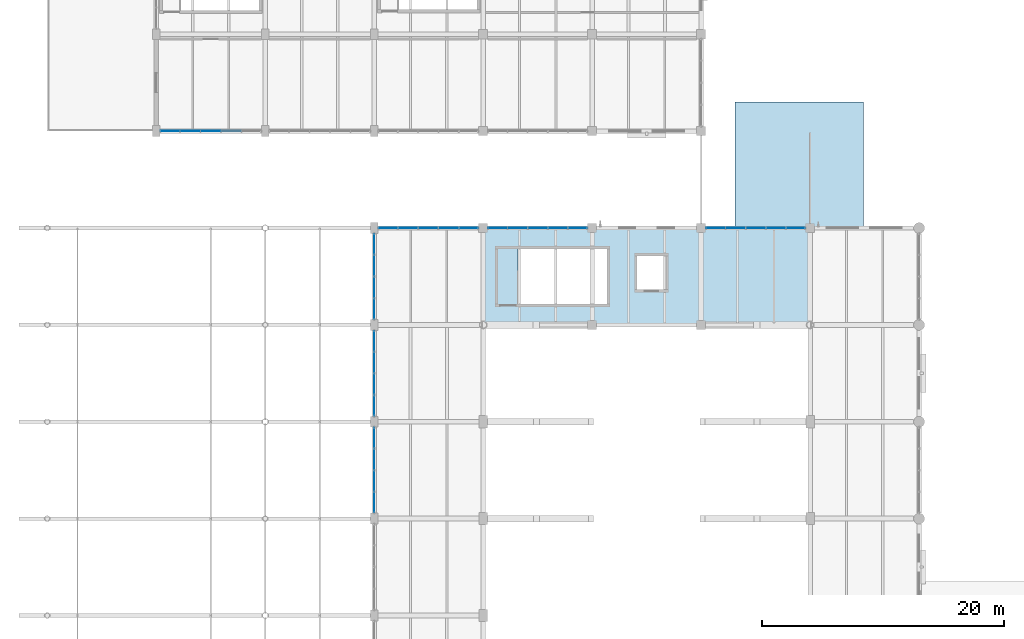
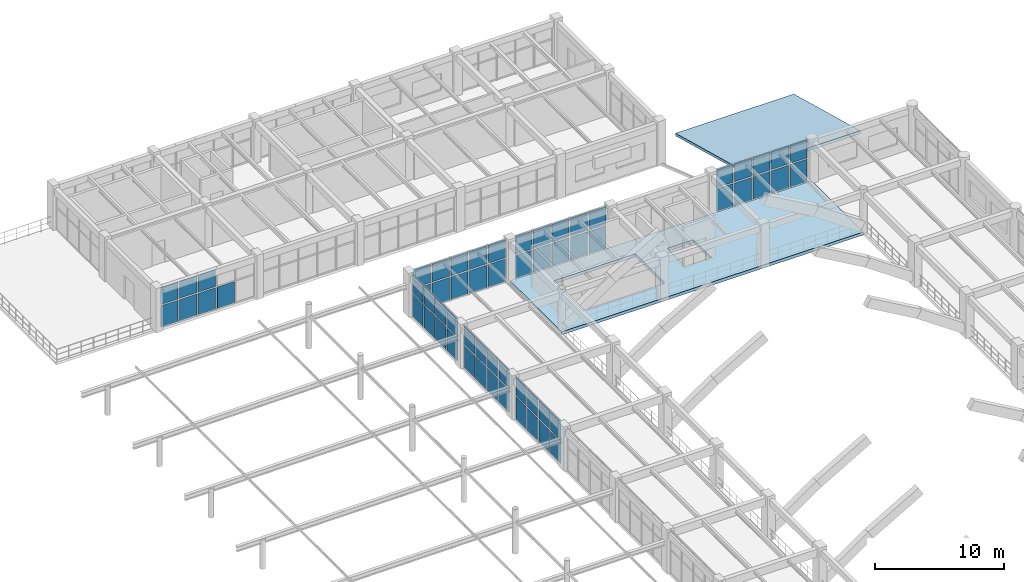
# One storey, part 118 of 148: 61 plates, 2 slabs, 8 elements without a shape of their own.
"""IFC4 building model written with IfcOpenShell, lengths in metres."""

from ifc_helpers import new_model, si_unit, derived_unit, direction, frame, origin, origin_2d, place, context, subcontext, project, spatial, polyline, rectangle, outline, extrude, material, layer, layer_set, type_object, element, aggregate, save


model = new_model("IFC4")

# Units and contexts
model_context = context("Model", 3, precision=1e-05, world=origin(), true_north=direction((0.0, 1.0)))
body_context = subcontext(model_context, "Body", "Model", "MODEL_VIEW")
ifc_project = project(units=[si_unit("LENGTHUNIT", "METRE"), si_unit("AREAUNIT", "SQUARE_METRE"), si_unit("VOLUMEUNIT", "CUBIC_METRE"), si_unit("PLANEANGLEUNIT", "RADIAN"), si_unit("MASSUNIT", "GRAM", prefix="KILO"), derived_unit("THERMALTRANSMITTANCEUNIT", [(si_unit("MASSUNIT", "GRAM", prefix="KILO"), 1), (si_unit("TIMEUNIT", "SECOND"), -3), (si_unit("THERMODYNAMICTEMPERATUREUNIT", "KELVIN"), -1)])], contexts=[model_context])

# Site, building, storey
site_placement = place(None, origin())
site = spatial("IfcSite", under=ifc_project, at=site_placement, CompositionType="ELEMENT")
building_placement = place(site_placement, origin())
building = spatial("IfcBuilding", under=site, at=building_placement, Name="Zhenchuan Archway Interchange", CompositionType="ELEMENT")
storey_placement = place(building_placement, frame((0.0, 0.0, 10.199951171875)))
storey = spatial("IfcBuildingStorey", under=building, at=storey_placement, Name="L02", CompositionType="ELEMENT", Elevation=10.199951171875)

# Curtain wall, plates
ifc_material_1 = material(Name="Anodised Aluminium", Category="aluminium")
curtain_wall_type_1 = type_object("IfcCurtainWallType", Name="CW_UNIT_1", PredefinedType="NOTDEFINED", material=ifc_material_1)
curtain_wall_1_placement = place(storey_placement, origin())
curtain_wall_1 = element("IfcCurtainWall", 1, at=curtain_wall_1_placement, inside=storey, type_object=curtain_wall_type_1, Name="Unitised curtain wall CW:L02:116", PredefinedType="NOTDEFINED")
ifc_material_2 = material(Name="Double Low-E Insulated Glazing", Category="glass")
ifc_layer_1 = layer(ifc_material_2, 0.028076171875)
ifc_layer_set_1 = layer_set([ifc_layer_1], Name="Double Low-E Insulated Glazing")
plate_type_1 = type_object("IfcPlateType", Name="CW_GLZ_1", PredefinedType="CURTAIN_PANEL", material=ifc_layer_set_1)
plate_1_placement = place(storey_placement, frame((28.116943359375, 88.0, 0.080078125), z_axis=(0.0, 0.0, 1.0), x_axis=(1.0, 0.0, 0.0)))
plate_1 = element("IfcPlate", 2, at=plate_1_placement, type_object=plate_type_1, Name="CW:L02:116 lower glazing panel 0", PredefinedType="CURTAIN_PANEL", context=body_context, shape_type="SweptSolid", body=[
    extrude(rectangle(XDim=1.517822265625, YDim=0.028076171875, at=origin_2d()), origin(), (0.0, 0.0, 1.0), 2.1259765625),
])
plate_2_placement = place(storey_placement, frame((29.78466796875, 88.0, 0.080078125), z_axis=(0.0, 0.0, 1.0), x_axis=(1.0, 0.0, 0.0)))
plate_2 = element("IfcPlate", 3, at=plate_2_placement, type_object=plate_type_1, Name="CW:L02:116 lower glazing panel 1", PredefinedType="CURTAIN_PANEL", context=body_context, shape_type="SweptSolid", body=[
    extrude(rectangle(XDim=1.537841796875, YDim=0.028076171875, at=origin_2d()), origin(), (0.0, 0.0, 1.0), 2.1259765625),
])
plate_3_placement = place(storey_placement, frame((31.46240234375, 88.0, 0.080078125), z_axis=(0.0, 0.0, 1.0), x_axis=(1.0, 0.0, 0.0)))
plate_3 = element("IfcPlate", 4, at=plate_3_placement, type_object=plate_type_1, Name="CW:L02:116 lower glazing panel 2", PredefinedType="CURTAIN_PANEL", context=body_context, shape_type="SweptSolid", body=[
    extrude(rectangle(XDim=1.537841796875, YDim=0.028076171875, at=origin_2d()), origin(), (0.0, 0.0, 1.0), 2.1259765625),
])
plate_4_placement = place(storey_placement, frame((33.140380859375, 88.0, 0.080078125), z_axis=(0.0, 0.0, 1.0), x_axis=(1.0, 0.0, 0.0)))
plate_4 = element("IfcPlate", 5, at=plate_4_placement, type_object=plate_type_1, Name="CW:L02:116 lower glazing panel 3", PredefinedType="CURTAIN_PANEL", context=body_context, shape_type="SweptSolid", body=[
    extrude(rectangle(XDim=1.537841796875, YDim=0.028076171875, at=origin_2d()), origin(), (0.0, 0.0, 1.0), 2.1259765625),
])
plate_5_placement = place(storey_placement, frame((34.80810546875, 88.0, 0.080078125), z_axis=(0.0, 0.0, 1.0), x_axis=(1.0, 0.0, 0.0)))
plate_5 = element("IfcPlate", 6, at=plate_5_placement, type_object=plate_type_1, Name="CW:L02:116 lower glazing panel 4", PredefinedType="CURTAIN_PANEL", context=body_context, shape_type="SweptSolid", body=[
    extrude(rectangle(XDim=1.517822265625, YDim=0.028076171875, at=origin_2d()), origin(), (0.0, 0.0, 1.0), 2.1259765625),
])

curtain_wall_type_2 = type_object("IfcCurtainWallType", Name="CW_UNIT_2", PredefinedType="NOTDEFINED", material=ifc_material_1)
curtain_wall_2_placement = place(storey_placement, origin())
curtain_wall_2 = element("IfcCurtainWall", 7, at=curtain_wall_2_placement, inside=storey, type_object=curtain_wall_type_2, Name="Unitised curtain wall CW:L02:117", PredefinedType="NOTDEFINED")
plate_6_placement = place(storey_placement, frame((37.184326171875, 88.0, 0.080078125), z_axis=(0.0, 0.0, 1.0), x_axis=(1.0, 0.0, 0.0)))
plate_6 = element("IfcPlate", 8, at=plate_6_placement, type_object=plate_type_1, Name="CW:L02:117 lower glazing panel 0", PredefinedType="CURTAIN_PANEL", context=body_context, shape_type="SweptSolid", body=[
    extrude(rectangle(XDim=1.502685546875, YDim=0.028076171875, at=origin_2d()), origin(), (0.0, 0.0, 1.0), 2.1259765625),
])
plate_7_placement = place(storey_placement, frame((38.837158203125, 88.0, 0.080078125), z_axis=(0.0, 0.0, 1.0), x_axis=(1.0, 0.0, 0.0)))
plate_7 = element("IfcPlate", 9, at=plate_7_placement, type_object=plate_type_1, Name="CW:L02:117 lower glazing panel 1", PredefinedType="CURTAIN_PANEL", context=body_context, shape_type="SweptSolid", body=[
    extrude(rectangle(XDim=1.522705078125, YDim=0.028076171875, at=origin_2d()), origin(), (0.0, 0.0, 1.0), 2.1259765625),
])
plate_8_placement = place(storey_placement, frame((40.5, 88.0, 0.080078125), z_axis=(0.0, 0.0, 1.0), x_axis=(1.0, 0.0, 0.0)))
plate_8 = element("IfcPlate", 10, at=plate_8_placement, type_object=plate_type_1, Name="CW:L02:117 lower glazing panel 2", PredefinedType="CURTAIN_PANEL", context=body_context, shape_type="SweptSolid", body=[
    extrude(rectangle(XDim=1.522705078125, YDim=0.028076171875, at=origin_2d()), origin(), (0.0, 0.0, 1.0), 2.1259765625),
])
plate_9_placement = place(storey_placement, frame((42.162841796875, 88.0, 0.080078125), z_axis=(0.0, 0.0, 1.0), x_axis=(1.0, 0.0, 0.0)))
plate_9 = element("IfcPlate", 11, at=plate_9_placement, type_object=plate_type_1, Name="CW:L02:117 lower glazing panel 3", PredefinedType="CURTAIN_PANEL", context=body_context, shape_type="SweptSolid", body=[
    extrude(rectangle(XDim=1.522705078125, YDim=0.028076171875, at=origin_2d()), origin(), (0.0, 0.0, 1.0), 2.1259765625),
])
plate_10_placement = place(storey_placement, frame((43.815673828125, 88.0, 0.080078125), z_axis=(0.0, 0.0, 1.0), x_axis=(1.0, 0.0, 0.0)))
plate_10 = element("IfcPlate", 12, at=plate_10_placement, type_object=plate_type_1, Name="CW:L02:117 lower glazing panel 4", PredefinedType="CURTAIN_PANEL", context=body_context, shape_type="SweptSolid", body=[
    extrude(rectangle(XDim=1.502685546875, YDim=0.028076171875, at=origin_2d()), origin(), (0.0, 0.0, 1.0), 2.1259765625),
])

curtain_wall_type_3 = type_object("IfcCurtainWallType", Name="CW_UNIT_3", PredefinedType="NOTDEFINED", material=ifc_material_1)
curtain_wall_3_placement = place(storey_placement, origin())
curtain_wall_3 = element("IfcCurtainWall", 13, at=curtain_wall_3_placement, inside=storey, type_object=curtain_wall_type_3, Name="Unitised curtain wall CW:L02:118", PredefinedType="NOTDEFINED")
plate_11_placement = place(storey_placement, frame((55.184326171875, 88.0, 0.080078125), z_axis=(0.0, 0.0, 1.0), x_axis=(1.0, 0.0, 0.0)))
plate_11 = element("IfcPlate", 14, at=plate_11_placement, type_object=plate_type_1, Name="CW:L02:118 lower glazing panel 0", PredefinedType="CURTAIN_PANEL", context=body_context, shape_type="SweptSolid", body=[
    extrude(rectangle(XDim=1.502685546875, YDim=0.028076171875, at=origin_2d()), origin(), (0.0, 0.0, 1.0), 2.1259765625),
])
plate_12_placement = place(storey_placement, frame((56.837158203125, 88.0, 0.080078125), z_axis=(0.0, 0.0, 1.0), x_axis=(1.0, 0.0, 0.0)))
plate_12 = element("IfcPlate", 15, at=plate_12_placement, type_object=plate_type_1, Name="CW:L02:118 lower glazing panel 1", PredefinedType="CURTAIN_PANEL", context=body_context, shape_type="SweptSolid", body=[
    extrude(rectangle(XDim=1.522705078125, YDim=0.028076171875, at=origin_2d()), origin(), (0.0, 0.0, 1.0), 2.1259765625),
])
plate_13_placement = place(storey_placement, frame((58.5, 88.0, 0.080078125), z_axis=(0.0, 0.0, 1.0), x_axis=(1.0, 0.0, 0.0)))
plate_13 = element("IfcPlate", 16, at=plate_13_placement, type_object=plate_type_1, Name="CW:L02:118 lower glazing panel 2", PredefinedType="CURTAIN_PANEL", context=body_context, shape_type="SweptSolid", body=[
    extrude(rectangle(XDim=1.522705078125, YDim=0.028076171875, at=origin_2d()), origin(), (0.0, 0.0, 1.0), 2.1259765625),
])
plate_14_placement = place(storey_placement, frame((60.162841796875, 88.0, 0.080078125), z_axis=(0.0, 0.0, 1.0), x_axis=(1.0, 0.0, 0.0)))
plate_14 = element("IfcPlate", 17, at=plate_14_placement, type_object=plate_type_1, Name="CW:L02:118 lower glazing panel 3", PredefinedType="CURTAIN_PANEL", context=body_context, shape_type="SweptSolid", body=[
    extrude(rectangle(XDim=1.522705078125, YDim=0.028076171875, at=origin_2d()), origin(), (0.0, 0.0, 1.0), 2.1259765625),
])
plate_15_placement = place(storey_placement, frame((61.815673828125, 88.0, 0.080078125), z_axis=(0.0, 0.0, 1.0), x_axis=(1.0, 0.0, 0.0)))
plate_15 = element("IfcPlate", 18, at=plate_15_placement, type_object=plate_type_1, Name="CW:L02:118 lower glazing panel 4", PredefinedType="CURTAIN_PANEL", context=body_context, shape_type="SweptSolid", body=[
    extrude(rectangle(XDim=1.502685546875, YDim=0.028076171875, at=origin_2d()), origin(), (0.0, 0.0, 1.0), 2.1259765625),
])

curtain_wall_4_placement = place(storey_placement, origin())
curtain_wall_4 = element("IfcCurtainWall", 19, at=curtain_wall_4_placement, inside=storey, type_object=curtain_wall_type_2, Name="Unitised curtain wall CW:L02:137", PredefinedType="NOTDEFINED")
plate_16_placement = place(storey_placement, frame((15.19287109375, 96.0, 0.080078125), z_axis=(0.0, 0.0, 1.0), x_axis=(-1.0, 0.0, 0.0)))
plate_16 = element("IfcPlate", 20, at=plate_16_placement, type_object=plate_type_1, Name="CW:L02:137 lower glazing panel 1", PredefinedType="CURTAIN_PANEL", context=body_context, shape_type="SweptSolid", body=[
    extrude(rectangle(XDim=1.552734375, YDim=0.028076171875, at=origin_2d()), origin(), (0.0, 0.0, 1.0), 2.01611328125),
])
plate_17_placement = place(storey_placement, frame((13.5, 96.0, 0.080078125), z_axis=(0.0, 0.0, 1.0), x_axis=(-1.0, 0.0, 0.0)))
plate_17 = element("IfcPlate", 21, at=plate_17_placement, type_object=plate_type_1, Name="CW:L02:137 lower glazing panel 2", PredefinedType="CURTAIN_PANEL", context=body_context, shape_type="SweptSolid", body=[
    extrude(rectangle(XDim=1.552734375, YDim=0.028076171875, at=origin_2d()), origin(), (0.0, 0.0, 1.0), 2.01611328125),
])
plate_18_placement = place(storey_placement, frame((11.80712890625, 96.0, 0.080078125), z_axis=(0.0, 0.0, 1.0), x_axis=(-1.0, 0.0, 0.0)))
plate_18 = element("IfcPlate", 22, at=plate_18_placement, type_object=plate_type_1, Name="CW:L02:137 lower glazing panel 3", PredefinedType="CURTAIN_PANEL", context=body_context, shape_type="SweptSolid", body=[
    extrude(rectangle(XDim=1.552734375, YDim=0.028076171875, at=origin_2d()), origin(), (0.0, 0.0, 1.0), 2.01611328125),
])
plate_19_placement = place(storey_placement, frame((10.12451171875, 96.0, 0.080078125), z_axis=(0.0, 0.0, 1.0), x_axis=(-1.0, 0.0, 0.0)))
plate_19 = element("IfcPlate", 23, at=plate_19_placement, type_object=plate_type_1, Name="CW:L02:137 lower glazing panel 4", PredefinedType="CURTAIN_PANEL", context=body_context, shape_type="SweptSolid", body=[
    extrude(rectangle(XDim=1.53271484375, YDim=0.028076171875, at=origin_2d()), origin(), (0.0, 0.0, 1.0), 2.01611328125),
])

# Plate
ifc_layer_2 = layer(ifc_material_2, 0.02587890625)
ifc_layer_set_2 = layer_set([ifc_layer_2], Name="Double Low-E Insulated Glazing")
plate_type_2 = type_object("IfcPlateType", Name="CW_GLZ_2", PredefinedType="CURTAIN_PANEL", material=ifc_layer_set_2)
plate_20_placement = place(storey_placement, frame((28.116943359375, 88.0, 2.326171875), z_axis=(0.0, 0.0, 1.0), x_axis=(1.0, 0.0, 0.0)))
plate_20 = element("IfcPlate", 24, at=plate_20_placement, type_object=plate_type_2, Name="CW:L02:116 upper glazing panel 0", PredefinedType="CURTAIN_PANEL", context=body_context, shape_type="SweptSolid", body=[
    extrude(rectangle(XDim=1.517822265625, YDim=0.02587890625, at=origin_2d()), origin(), (0.0, 0.0, 1.0), 1.714111328125),
])

plate_21_placement = place(storey_placement, frame((29.78466796875, 88.0, 2.326171875), z_axis=(0.0, 0.0, 1.0), x_axis=(1.0, 0.0, 0.0)))
plate_21 = element("IfcPlate", 25, at=plate_21_placement, type_object=plate_type_2, Name="CW:L02:116 upper glazing panel 1", PredefinedType="CURTAIN_PANEL", context=body_context, shape_type="SweptSolid", body=[
    extrude(rectangle(XDim=1.537841796875, YDim=0.02587890625, at=origin_2d()), origin(), (0.0, 0.0, 1.0), 1.714111328125),
])

plate_22_placement = place(storey_placement, frame((31.46240234375, 88.0, 2.326171875), z_axis=(0.0, 0.0, 1.0), x_axis=(1.0, 0.0, 0.0)))
plate_22 = element("IfcPlate", 26, at=plate_22_placement, type_object=plate_type_2, Name="CW:L02:116 upper glazing panel 2", PredefinedType="CURTAIN_PANEL", context=body_context, shape_type="SweptSolid", body=[
    extrude(rectangle(XDim=1.537841796875, YDim=0.02587890625, at=origin_2d()), origin(), (0.0, 0.0, 1.0), 1.714111328125),
])

plate_23_placement = place(storey_placement, frame((33.140380859375, 88.0, 2.326171875), z_axis=(0.0, 0.0, 1.0), x_axis=(1.0, 0.0, 0.0)))
plate_23 = element("IfcPlate", 27, at=plate_23_placement, type_object=plate_type_2, Name="CW:L02:116 upper glazing panel 3", PredefinedType="CURTAIN_PANEL", context=body_context, shape_type="SweptSolid", body=[
    extrude(rectangle(XDim=1.537841796875, YDim=0.02587890625, at=origin_2d()), origin(), (0.0, 0.0, 1.0), 1.714111328125),
])

plate_24_placement = place(storey_placement, frame((34.80810546875, 88.0, 2.326171875), z_axis=(0.0, 0.0, 1.0), x_axis=(1.0, 0.0, 0.0)))
plate_24 = element("IfcPlate", 28, at=plate_24_placement, type_object=plate_type_2, Name="CW:L02:116 upper glazing panel 4", PredefinedType="CURTAIN_PANEL", context=body_context, shape_type="SweptSolid", body=[
    extrude(rectangle(XDim=1.517822265625, YDim=0.02587890625, at=origin_2d()), origin(), (0.0, 0.0, 1.0), 1.714111328125),
])

aggregate(curtain_wall_1, [plate_1, plate_20, plate_2, plate_21, plate_3, plate_22, plate_4, plate_23, plate_5, plate_24])

plate_25_placement = place(storey_placement, frame((37.184326171875, 88.0, 2.326171875), z_axis=(0.0, 0.0, 1.0), x_axis=(1.0, 0.0, 0.0)))
plate_25 = element("IfcPlate", 29, at=plate_25_placement, type_object=plate_type_2, Name="CW:L02:117 upper glazing panel 0", PredefinedType="CURTAIN_PANEL", context=body_context, shape_type="SweptSolid", body=[
    extrude(rectangle(XDim=1.502685546875, YDim=0.02587890625, at=origin_2d()), origin(), (0.0, 0.0, 1.0), 1.714111328125),
])

plate_26_placement = place(storey_placement, frame((38.837158203125, 88.0, 2.326171875), z_axis=(0.0, 0.0, 1.0), x_axis=(1.0, 0.0, 0.0)))
plate_26 = element("IfcPlate", 30, at=plate_26_placement, type_object=plate_type_2, Name="CW:L02:117 upper glazing panel 1", PredefinedType="CURTAIN_PANEL", context=body_context, shape_type="SweptSolid", body=[
    extrude(rectangle(XDim=1.522705078125, YDim=0.02587890625, at=origin_2d()), origin(), (0.0, 0.0, 1.0), 1.714111328125),
])

plate_27_placement = place(storey_placement, frame((40.5, 88.0, 2.326171875), z_axis=(0.0, 0.0, 1.0), x_axis=(1.0, 0.0, 0.0)))
plate_27 = element("IfcPlate", 31, at=plate_27_placement, type_object=plate_type_2, Name="CW:L02:117 upper glazing panel 2", PredefinedType="CURTAIN_PANEL", context=body_context, shape_type="SweptSolid", body=[
    extrude(rectangle(XDim=1.522705078125, YDim=0.02587890625, at=origin_2d()), origin(), (0.0, 0.0, 1.0), 1.714111328125),
])

plate_28_placement = place(storey_placement, frame((42.162841796875, 88.0, 2.326171875), z_axis=(0.0, 0.0, 1.0), x_axis=(1.0, 0.0, 0.0)))
plate_28 = element("IfcPlate", 32, at=plate_28_placement, type_object=plate_type_2, Name="CW:L02:117 upper glazing panel 3", PredefinedType="CURTAIN_PANEL", context=body_context, shape_type="SweptSolid", body=[
    extrude(rectangle(XDim=1.522705078125, YDim=0.02587890625, at=origin_2d()), origin(), (0.0, 0.0, 1.0), 1.714111328125),
])

plate_29_placement = place(storey_placement, frame((43.815673828125, 88.0, 2.326171875), z_axis=(0.0, 0.0, 1.0), x_axis=(1.0, 0.0, 0.0)))
plate_29 = element("IfcPlate", 33, at=plate_29_placement, type_object=plate_type_2, Name="CW:L02:117 upper glazing panel 4", PredefinedType="CURTAIN_PANEL", context=body_context, shape_type="SweptSolid", body=[
    extrude(rectangle(XDim=1.502685546875, YDim=0.02587890625, at=origin_2d()), origin(), (0.0, 0.0, 1.0), 1.714111328125),
])

aggregate(curtain_wall_2, [plate_6, plate_25, plate_7, plate_26, plate_8, plate_27, plate_9, plate_28, plate_10, plate_29])

plate_30_placement = place(storey_placement, frame((55.184326171875, 88.0, 2.326171875), z_axis=(0.0, 0.0, 1.0), x_axis=(1.0, 0.0, 0.0)))
plate_30 = element("IfcPlate", 34, at=plate_30_placement, type_object=plate_type_2, Name="CW:L02:118 upper glazing panel 0", PredefinedType="CURTAIN_PANEL", context=body_context, shape_type="SweptSolid", body=[
    extrude(rectangle(XDim=1.502685546875, YDim=0.02587890625, at=origin_2d()), origin(), (0.0, 0.0, 1.0), 1.714111328125),
])

plate_31_placement = place(storey_placement, frame((56.837158203125, 88.0, 2.326171875), z_axis=(0.0, 0.0, 1.0), x_axis=(1.0, 0.0, 0.0)))
plate_31 = element("IfcPlate", 35, at=plate_31_placement, type_object=plate_type_2, Name="CW:L02:118 upper glazing panel 1", PredefinedType="CURTAIN_PANEL", context=body_context, shape_type="SweptSolid", body=[
    extrude(rectangle(XDim=1.522705078125, YDim=0.02587890625, at=origin_2d()), origin(), (0.0, 0.0, 1.0), 1.714111328125),
])

plate_32_placement = place(storey_placement, frame((58.5, 88.0, 2.326171875), z_axis=(0.0, 0.0, 1.0), x_axis=(1.0, 0.0, 0.0)))
plate_32 = element("IfcPlate", 36, at=plate_32_placement, type_object=plate_type_2, Name="CW:L02:118 upper glazing panel 2", PredefinedType="CURTAIN_PANEL", context=body_context, shape_type="SweptSolid", body=[
    extrude(rectangle(XDim=1.522705078125, YDim=0.02587890625, at=origin_2d()), origin(), (0.0, 0.0, 1.0), 1.714111328125),
])

plate_33_placement = place(storey_placement, frame((60.162841796875, 88.0, 2.326171875), z_axis=(0.0, 0.0, 1.0), x_axis=(1.0, 0.0, 0.0)))
plate_33 = element("IfcPlate", 37, at=plate_33_placement, type_object=plate_type_2, Name="CW:L02:118 upper glazing panel 3", PredefinedType="CURTAIN_PANEL", context=body_context, shape_type="SweptSolid", body=[
    extrude(rectangle(XDim=1.522705078125, YDim=0.02587890625, at=origin_2d()), origin(), (0.0, 0.0, 1.0), 1.714111328125),
])

plate_34_placement = place(storey_placement, frame((61.815673828125, 88.0, 2.326171875), z_axis=(0.0, 0.0, 1.0), x_axis=(1.0, 0.0, 0.0)))
plate_34 = element("IfcPlate", 38, at=plate_34_placement, type_object=plate_type_2, Name="CW:L02:118 upper glazing panel 4", PredefinedType="CURTAIN_PANEL", context=body_context, shape_type="SweptSolid", body=[
    extrude(rectangle(XDim=1.502685546875, YDim=0.02587890625, at=origin_2d()), origin(), (0.0, 0.0, 1.0), 1.714111328125),
])

aggregate(curtain_wall_3, [plate_11, plate_30, plate_12, plate_31, plate_13, plate_32, plate_14, plate_33, plate_15, plate_34])

plate_35_placement = place(storey_placement, frame((13.5, 96.0, 2.216064453125), z_axis=(0.0, 0.0, 1.0), x_axis=(-1.0, 0.0, 0.0)))
plate_35 = element("IfcPlate", 39, at=plate_35_placement, type_object=plate_type_2, Name="CW:L02:137 upper glazing panel 2", PredefinedType="CURTAIN_PANEL", context=body_context, shape_type="SweptSolid", body=[
    extrude(rectangle(XDim=1.552734375, YDim=0.02587890625, at=origin_2d()), origin(), (0.0, 0.0, 1.0), 1.6240234375),
])

plate_36_placement = place(storey_placement, frame((11.80712890625, 96.0, 2.216064453125), z_axis=(0.0, 0.0, 1.0), x_axis=(-1.0, 0.0, 0.0)))
plate_36 = element("IfcPlate", 40, at=plate_36_placement, type_object=plate_type_2, Name="CW:L02:137 upper glazing panel 3", PredefinedType="CURTAIN_PANEL", context=body_context, shape_type="SweptSolid", body=[
    extrude(rectangle(XDim=1.552734375, YDim=0.02587890625, at=origin_2d()), origin(), (0.0, 0.0, 1.0), 1.6240234375),
])

plate_37_placement = place(storey_placement, frame((10.12451171875, 96.0, 2.216064453125), z_axis=(0.0, 0.0, 1.0), x_axis=(-1.0, 0.0, 0.0)))
plate_37 = element("IfcPlate", 41, at=plate_37_placement, type_object=plate_type_2, Name="CW:L02:137 upper glazing panel 4", PredefinedType="CURTAIN_PANEL", context=body_context, shape_type="SweptSolid", body=[
    extrude(rectangle(XDim=1.53271484375, YDim=0.02587890625, at=origin_2d()), origin(), (0.0, 0.0, 1.0), 1.6240234375),
])

aggregate(curtain_wall_4, [plate_16, plate_17, plate_35, plate_18, plate_36, plate_19, plate_37])

# Curtain wall, plates
curtain_wall_type_4 = type_object("IfcCurtainWallType", Name="CW_UNIT_4", PredefinedType="NOTDEFINED", material=ifc_material_1)
curtain_wall_5_placement = place(storey_placement, origin())
curtain_wall_5 = element("IfcCurtainWall", 42, at=curtain_wall_5_placement, inside=storey, type_object=curtain_wall_type_4, Name="Unitised curtain wall CW:L02:131", PredefinedType="NOTDEFINED")
ifc_layer_3 = layer(ifc_material_2, 0.030029296875)
ifc_layer_set_3 = layer_set([ifc_layer_3], Name="Double Low-E Insulated Glazing")
plate_type_3 = type_object("IfcPlateType", Name="CW_GLZ_3", PredefinedType="CURTAIN_PANEL", material=ifc_layer_set_3)
plate_38_placement = place(storey_placement, frame((27.0, 65.323486328125, 0.080078125), z_axis=(0.0, 0.0, 1.0), x_axis=(0.0, 1.0, 0.0)))
plate_38 = element("IfcPlate", 43, at=plate_38_placement, type_object=plate_type_3, Name="CW:L02:131 lower glazing panel 0", PredefinedType="CURTAIN_PANEL", context=body_context, shape_type="SweptSolid", body=[
    extrude(rectangle(XDim=1.631103515625, YDim=0.028076171875, at=origin_2d()), origin(), (0.0, 0.0, 1.0), 2.1259765625),
])
plate_39_placement = place(storey_placement, frame((27.0, 67.1044921875, 0.080078125), z_axis=(0.0, 0.0, 1.0), x_axis=(0.0, 1.0, 0.0)))
plate_39 = element("IfcPlate", 44, at=plate_39_placement, type_object=plate_type_3, Name="CW:L02:131 lower glazing panel 1", PredefinedType="CURTAIN_PANEL", context=body_context, shape_type="SweptSolid", body=[
    extrude(rectangle(XDim=1.65087890625, YDim=0.028076171875, at=origin_2d()), origin(), (0.0, 0.0, 1.0), 2.1259765625),
])
plate_40_placement = place(storey_placement, frame((27.0, 68.8955078125, 0.080078125), z_axis=(0.0, 0.0, 1.0), x_axis=(0.0, 1.0, 0.0)))
plate_40 = element("IfcPlate", 45, at=plate_40_placement, type_object=plate_type_3, Name="CW:L02:131 lower glazing panel 2", PredefinedType="CURTAIN_PANEL", context=body_context, shape_type="SweptSolid", body=[
    extrude(rectangle(XDim=1.65087890625, YDim=0.028076171875, at=origin_2d()), origin(), (0.0, 0.0, 1.0), 2.1259765625),
])
plate_41_placement = place(storey_placement, frame((27.0, 70.676513671875, 0.080078125), z_axis=(0.0, 0.0, 1.0), x_axis=(0.0, 1.0, 0.0)))
plate_41 = element("IfcPlate", 46, at=plate_41_placement, type_object=plate_type_3, Name="CW:L02:131 lower glazing panel 3", PredefinedType="CURTAIN_PANEL", context=body_context, shape_type="SweptSolid", body=[
    extrude(rectangle(XDim=1.631103515625, YDim=0.028076171875, at=origin_2d()), origin(), (0.0, 0.0, 1.0), 2.1259765625),
])

curtain_wall_6_placement = place(storey_placement, origin())
curtain_wall_6 = element("IfcCurtainWall", 47, at=curtain_wall_6_placement, inside=storey, type_object=curtain_wall_type_1, Name="Unitised curtain wall CW:L02:132", PredefinedType="NOTDEFINED")
plate_42_placement = place(storey_placement, frame((27.0, 73.323486328125, 0.080078125), z_axis=(0.0, 0.0, 1.0), x_axis=(0.0, 1.0, 0.0)))
plate_42 = element("IfcPlate", 48, at=plate_42_placement, type_object=plate_type_3, Name="CW:L02:132 lower glazing panel 0", PredefinedType="CURTAIN_PANEL", context=body_context, shape_type="SweptSolid", body=[
    extrude(rectangle(XDim=1.631103515625, YDim=0.028076171875, at=origin_2d()), origin(), (0.0, 0.0, 1.0), 2.1259765625),
])
plate_43_placement = place(storey_placement, frame((27.0, 75.1044921875, 0.080078125), z_axis=(0.0, 0.0, 1.0), x_axis=(0.0, 1.0, 0.0)))
plate_43 = element("IfcPlate", 49, at=plate_43_placement, type_object=plate_type_3, Name="CW:L02:132 lower glazing panel 1", PredefinedType="CURTAIN_PANEL", context=body_context, shape_type="SweptSolid", body=[
    extrude(rectangle(XDim=1.65087890625, YDim=0.028076171875, at=origin_2d()), origin(), (0.0, 0.0, 1.0), 2.1259765625),
])
plate_44_placement = place(storey_placement, frame((27.0, 76.8955078125, 0.080078125), z_axis=(0.0, 0.0, 1.0), x_axis=(0.0, 1.0, 0.0)))
plate_44 = element("IfcPlate", 50, at=plate_44_placement, type_object=plate_type_3, Name="CW:L02:132 lower glazing panel 2", PredefinedType="CURTAIN_PANEL", context=body_context, shape_type="SweptSolid", body=[
    extrude(rectangle(XDim=1.65087890625, YDim=0.028076171875, at=origin_2d()), origin(), (0.0, 0.0, 1.0), 2.1259765625),
])
plate_45_placement = place(storey_placement, frame((27.0, 78.676513671875, 0.080078125), z_axis=(0.0, 0.0, 1.0), x_axis=(0.0, 1.0, 0.0)))
plate_45 = element("IfcPlate", 51, at=plate_45_placement, type_object=plate_type_3, Name="CW:L02:132 lower glazing panel 3", PredefinedType="CURTAIN_PANEL", context=body_context, shape_type="SweptSolid", body=[
    extrude(rectangle(XDim=1.631103515625, YDim=0.028076171875, at=origin_2d()), origin(), (0.0, 0.0, 1.0), 2.1259765625),
])

curtain_wall_7_placement = place(storey_placement, origin())
curtain_wall_7 = element("IfcCurtainWall", 52, at=curtain_wall_7_placement, inside=storey, type_object=curtain_wall_type_2, Name="Unitised curtain wall CW:L02:133", PredefinedType="NOTDEFINED")
plate_46_placement = place(storey_placement, frame((27.0, 81.323486328125, 0.080078125), z_axis=(0.0, 0.0, 1.0), x_axis=(0.0, 1.0, 0.0)))
plate_46 = element("IfcPlate", 53, at=plate_46_placement, type_object=plate_type_3, Name="CW:L02:133 lower glazing panel 0", PredefinedType="CURTAIN_PANEL", context=body_context, shape_type="SweptSolid", body=[
    extrude(rectangle(XDim=1.631103515625, YDim=0.028076171875, at=origin_2d()), origin(), (0.0, 0.0, 1.0), 2.1259765625),
])
plate_47_placement = place(storey_placement, frame((27.0, 83.1044921875, 0.080078125), z_axis=(0.0, 0.0, 1.0), x_axis=(0.0, 1.0, 0.0)))
plate_47 = element("IfcPlate", 54, at=plate_47_placement, type_object=plate_type_3, Name="CW:L02:133 lower glazing panel 1", PredefinedType="CURTAIN_PANEL", context=body_context, shape_type="SweptSolid", body=[
    extrude(rectangle(XDim=1.65087890625, YDim=0.028076171875, at=origin_2d()), origin(), (0.0, 0.0, 1.0), 2.1259765625),
])
plate_48_placement = place(storey_placement, frame((27.0, 84.8955078125, 0.080078125), z_axis=(0.0, 0.0, 1.0), x_axis=(0.0, 1.0, 0.0)))
plate_48 = element("IfcPlate", 55, at=plate_48_placement, type_object=plate_type_3, Name="CW:L02:133 lower glazing panel 2", PredefinedType="CURTAIN_PANEL", context=body_context, shape_type="SweptSolid", body=[
    extrude(rectangle(XDim=1.65087890625, YDim=0.028076171875, at=origin_2d()), origin(), (0.0, 0.0, 1.0), 2.1259765625),
])
plate_49_placement = place(storey_placement, frame((27.0, 86.676513671875, 0.080078125), z_axis=(0.0, 0.0, 1.0), x_axis=(0.0, 1.0, 0.0)))
plate_49 = element("IfcPlate", 56, at=plate_49_placement, type_object=plate_type_3, Name="CW:L02:133 lower glazing panel 3", PredefinedType="CURTAIN_PANEL", context=body_context, shape_type="SweptSolid", body=[
    extrude(rectangle(XDim=1.631103515625, YDim=0.028076171875, at=origin_2d()), origin(), (0.0, 0.0, 1.0), 2.1259765625),
])

# Plate
ifc_layer_4 = layer(ifc_material_2, 0.02392578125)
ifc_layer_set_4 = layer_set([ifc_layer_4], Name="Double Low-E Insulated Glazing")
plate_type_4 = type_object("IfcPlateType", Name="CW_GLZ_4", PredefinedType="CURTAIN_PANEL", material=ifc_layer_set_4)
plate_50_placement = place(storey_placement, frame((27.0, 65.323486328125, 2.326171875), z_axis=(0.0, 0.0, 1.0), x_axis=(0.0, 1.0, 0.0)))
plate_50 = element("IfcPlate", 57, at=plate_50_placement, type_object=plate_type_4, Name="CW:L02:131 upper glazing panel 0", PredefinedType="CURTAIN_PANEL", context=body_context, shape_type="SweptSolid", body=[
    extrude(rectangle(XDim=1.631103515625, YDim=0.02587890625, at=origin_2d()), origin(), (0.0, 0.0, 1.0), 1.714111328125),
])

plate_51_placement = place(storey_placement, frame((27.0, 67.1044921875, 2.326171875), z_axis=(0.0, 0.0, 1.0), x_axis=(0.0, 1.0, 0.0)))
plate_51 = element("IfcPlate", 58, at=plate_51_placement, type_object=plate_type_4, Name="CW:L02:131 upper glazing panel 1", PredefinedType="CURTAIN_PANEL", context=body_context, shape_type="SweptSolid", body=[
    extrude(rectangle(XDim=1.65087890625, YDim=0.02587890625, at=origin_2d()), origin(), (0.0, 0.0, 1.0), 1.714111328125),
])

plate_52_placement = place(storey_placement, frame((27.0, 68.8955078125, 2.326171875), z_axis=(0.0, 0.0, 1.0), x_axis=(0.0, 1.0, 0.0)))
plate_52 = element("IfcPlate", 59, at=plate_52_placement, type_object=plate_type_4, Name="CW:L02:131 upper glazing panel 2", PredefinedType="CURTAIN_PANEL", context=body_context, shape_type="SweptSolid", body=[
    extrude(rectangle(XDim=1.65087890625, YDim=0.02587890625, at=origin_2d()), origin(), (0.0, 0.0, 1.0), 1.714111328125),
])

plate_53_placement = place(storey_placement, frame((27.0, 70.676513671875, 2.326171875), z_axis=(0.0, 0.0, 1.0), x_axis=(0.0, 1.0, 0.0)))
plate_53 = element("IfcPlate", 60, at=plate_53_placement, type_object=plate_type_4, Name="CW:L02:131 upper glazing panel 3", PredefinedType="CURTAIN_PANEL", context=body_context, shape_type="SweptSolid", body=[
    extrude(rectangle(XDim=1.631103515625, YDim=0.02587890625, at=origin_2d()), origin(), (0.0, 0.0, 1.0), 1.714111328125),
])

aggregate(curtain_wall_5, [plate_38, plate_50, plate_39, plate_51, plate_40, plate_52, plate_41, plate_53])

plate_54_placement = place(storey_placement, frame((27.0, 73.323486328125, 2.326171875), z_axis=(0.0, 0.0, 1.0), x_axis=(0.0, 1.0, 0.0)))
plate_54 = element("IfcPlate", 61, at=plate_54_placement, type_object=plate_type_4, Name="CW:L02:132 upper glazing panel 0", PredefinedType="CURTAIN_PANEL", context=body_context, shape_type="SweptSolid", body=[
    extrude(rectangle(XDim=1.631103515625, YDim=0.02587890625, at=origin_2d()), origin(), (0.0, 0.0, 1.0), 1.714111328125),
])

plate_55_placement = place(storey_placement, frame((27.0, 75.1044921875, 2.326171875), z_axis=(0.0, 0.0, 1.0), x_axis=(0.0, 1.0, 0.0)))
plate_55 = element("IfcPlate", 62, at=plate_55_placement, type_object=plate_type_4, Name="CW:L02:132 upper glazing panel 1", PredefinedType="CURTAIN_PANEL", context=body_context, shape_type="SweptSolid", body=[
    extrude(rectangle(XDim=1.65087890625, YDim=0.02587890625, at=origin_2d()), origin(), (0.0, 0.0, 1.0), 1.714111328125),
])

plate_56_placement = place(storey_placement, frame((27.0, 76.8955078125, 2.326171875), z_axis=(0.0, 0.0, 1.0), x_axis=(0.0, 1.0, 0.0)))
plate_56 = element("IfcPlate", 63, at=plate_56_placement, type_object=plate_type_4, Name="CW:L02:132 upper glazing panel 2", PredefinedType="CURTAIN_PANEL", context=body_context, shape_type="SweptSolid", body=[
    extrude(rectangle(XDim=1.65087890625, YDim=0.02587890625, at=origin_2d()), origin(), (0.0, 0.0, 1.0), 1.714111328125),
])

plate_57_placement = place(storey_placement, frame((27.0, 78.676513671875, 2.326171875), z_axis=(0.0, 0.0, 1.0), x_axis=(0.0, 1.0, 0.0)))
plate_57 = element("IfcPlate", 64, at=plate_57_placement, type_object=plate_type_4, Name="CW:L02:132 upper glazing panel 3", PredefinedType="CURTAIN_PANEL", context=body_context, shape_type="SweptSolid", body=[
    extrude(rectangle(XDim=1.631103515625, YDim=0.02587890625, at=origin_2d()), origin(), (0.0, 0.0, 1.0), 1.714111328125),
])

aggregate(curtain_wall_6, [plate_42, plate_54, plate_43, plate_55, plate_44, plate_56, plate_45, plate_57])

plate_58_placement = place(storey_placement, frame((27.0, 81.323486328125, 2.326171875), z_axis=(0.0, 0.0, 1.0), x_axis=(0.0, 1.0, 0.0)))
plate_58 = element("IfcPlate", 65, at=plate_58_placement, type_object=plate_type_4, Name="CW:L02:133 upper glazing panel 0", PredefinedType="CURTAIN_PANEL", context=body_context, shape_type="SweptSolid", body=[
    extrude(rectangle(XDim=1.631103515625, YDim=0.02587890625, at=origin_2d()), origin(), (0.0, 0.0, 1.0), 1.714111328125),
])

plate_59_placement = place(storey_placement, frame((27.0, 83.1044921875, 2.326171875), z_axis=(0.0, 0.0, 1.0), x_axis=(0.0, 1.0, 0.0)))
plate_59 = element("IfcPlate", 66, at=plate_59_placement, type_object=plate_type_4, Name="CW:L02:133 upper glazing panel 1", PredefinedType="CURTAIN_PANEL", context=body_context, shape_type="SweptSolid", body=[
    extrude(rectangle(XDim=1.65087890625, YDim=0.02587890625, at=origin_2d()), origin(), (0.0, 0.0, 1.0), 1.714111328125),
])

plate_60_placement = place(storey_placement, frame((27.0, 84.8955078125, 2.326171875), z_axis=(0.0, 0.0, 1.0), x_axis=(0.0, 1.0, 0.0)))
plate_60 = element("IfcPlate", 67, at=plate_60_placement, type_object=plate_type_4, Name="CW:L02:133 upper glazing panel 2", PredefinedType="CURTAIN_PANEL", context=body_context, shape_type="SweptSolid", body=[
    extrude(rectangle(XDim=1.65087890625, YDim=0.02587890625, at=origin_2d()), origin(), (0.0, 0.0, 1.0), 1.714111328125),
])

plate_61_placement = place(storey_placement, frame((27.0, 86.676513671875, 2.326171875), z_axis=(0.0, 0.0, 1.0), x_axis=(0.0, 1.0, 0.0)))
plate_61 = element("IfcPlate", 68, at=plate_61_placement, type_object=plate_type_4, Name="CW:L02:133 upper glazing panel 3", PredefinedType="CURTAIN_PANEL", context=body_context, shape_type="SweptSolid", body=[
    extrude(rectangle(XDim=1.631103515625, YDim=0.02587890625, at=origin_2d()), origin(), (0.0, 0.0, 1.0), 1.714111328125),
])

aggregate(curtain_wall_7, [plate_46, plate_58, plate_47, plate_59, plate_48, plate_60, plate_49, plate_61])

# Slab
ifc_material_3 = material(Name="Concrete C35", Category="concrete")
ifc_layer_5 = layer(ifc_material_3, 0.2900390625)
ifc_layer_set_5 = layer_set([ifc_layer_5], Name="Concrete C35")
slab_type_1 = type_object("IfcSlabType", Name="SLB_FLR_290", PredefinedType="FLOOR", material=ifc_layer_set_5)
slab_1_placement = place(storey_placement, frame((0.0, 0.0, -0.2900390625)))
element("IfcSlab", 69, at=slab_1_placement, inside=storey, type_object=slab_type_1, Name="Structural slab L02 CH-N", PredefinedType="FLOOR", context=body_context, shape_type="SweptSolid", body=[
    extrude(outline(polyline([(63.0, 88.0), (63.0, 80.0), (36.0, 80.0), (36.0, 88.0), (63.0, 88.0)]), holes=[polyline([(38.875, 86.27490234375), (38.875, 81.72509765625), (46.22509765625, 81.72509765625), (46.22509765625, 86.27490234375), (38.875, 86.27490234375)]), polyline([(51.080078125, 85.679931640625), (48.719970703125, 85.679931640625), (48.719970703125, 82.919921875), (51.080078125, 82.919921875), (51.080078125, 85.679931640625)])]), origin(), (0.0, 0.0, 1.0), 0.2900390625),
])

# Roof, slab
roof_type = type_object("IfcRoofType", Name="ROOF_LINGNAN_STORM", PredefinedType="GABLE_ROOF", material=ifc_material_3)
roof_placement = place(storey_placement, origin())
roof = element("IfcRoof", 70, at=roof_placement, inside=storey, type_object=roof_type, Name="Concourse South and North entry storm roofs", PredefinedType="GABLE_ROOF")
ifc_layer_6 = layer(ifc_material_3, 0.239990234375)
ifc_layer_set_6 = layer_set([ifc_layer_6], Name="Concrete C35")
slab_type_2 = type_object("IfcSlabType", Name="SLB_ROOF_240", PredefinedType="ROOF", material=ifc_layer_set_6)
slab_2_placement = place(storey_placement, frame((56.800048828125, 88.1201171875, 3.111083984375), z_axis=(0.0, 0.258791890091, 0.965933102043), x_axis=(1.0, 0.0, 0.0)))
slab_2 = element("IfcSlab", 71, at=slab_2_placement, type_object=slab_type_2, Name="Concourse north entry pitched Lingnan storm roof", PredefinedType="ROOF", context=body_context, shape_type="SweptSolid", body=[
    extrude(outline(polyline([(0.0, 0.0), (10.599853515625, 0.0), (10.599853515625, 10.642336549500664), (0.0, 10.642336549500664), (0.0, 0.0)])), origin(), (0.0, 0.0, -1.0), 0.239990234375),
])
aggregate(roof, [slab_2])

save(model, "model.ifc")
